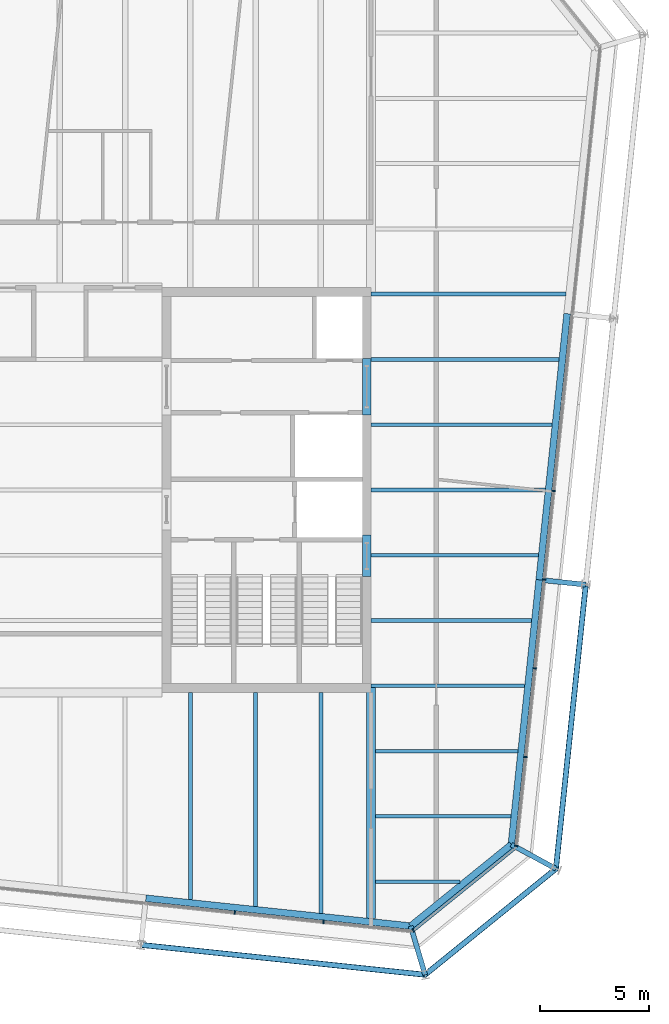
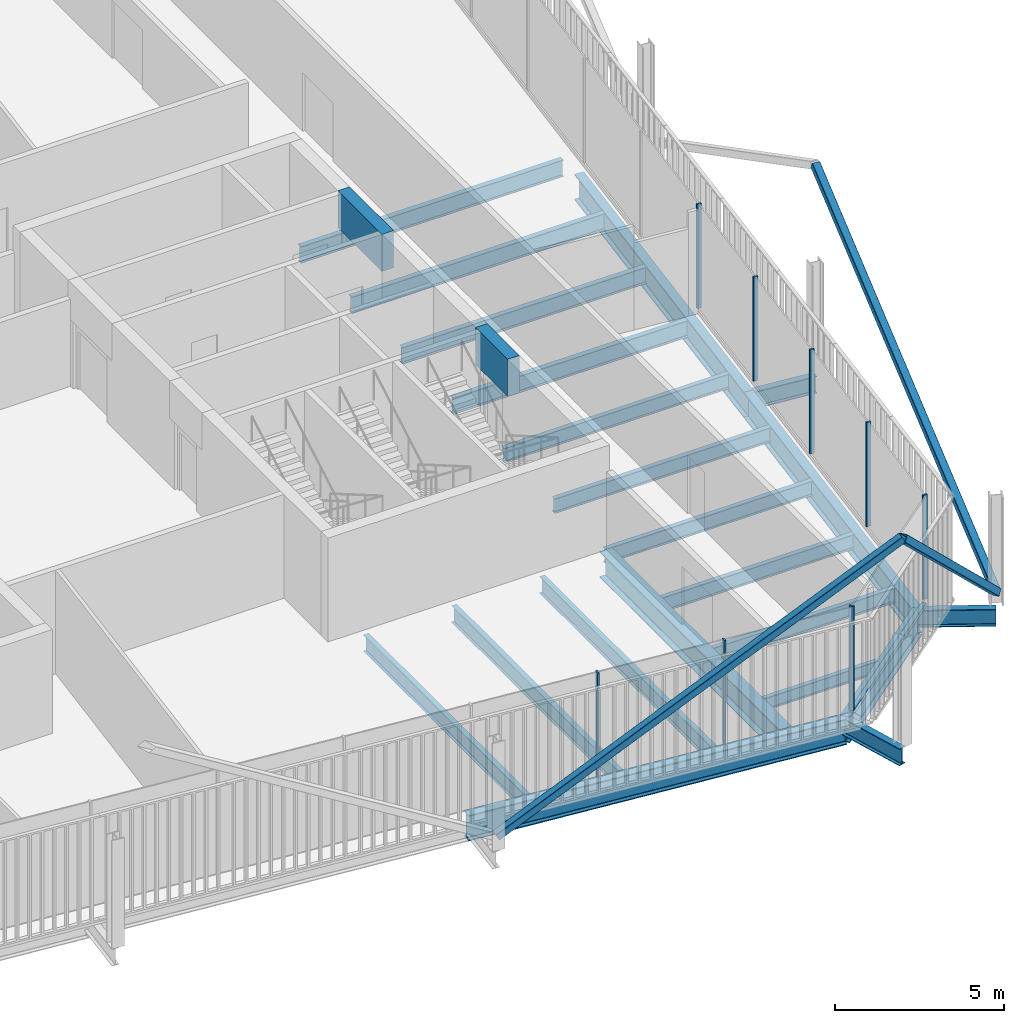
# One storey, part 9 of 21: 23 beams, 12 members, 3 elements without a shape of their own.
"""IFC4 building model written with IfcOpenShell, lengths in metres."""

import ifcopenshell
import ifcopenshell.guid

model = None  # the IFC model being written
_history = None  # IfcOwnerHistory: only IFC2X3 demands one
_inside = {}  # id of a spatial element -> (the spatial element, [elements in it])
_under = {}  # id of a project, library or spatial element -> (it, [spatial elements below it])
_declared = {}  # id of a project -> (the project, [libraries it declares])
_typed = {}  # id of a type object -> (the type object, [elements of that type])
_made_of = {}  # id of a material, layer set ... -> (it, [elements and type objects made of it])


def new_model(schema):
    """Start an empty IFC model of exactly this schema.

    Asked for "IFC4X3", IfcOpenShell would pick the latest addendum, in which some entities
    have other attributes; the version numbers below select the first issue.
    IFC2X3 requires an IfcOwnerHistory on every rooted entity: one is made here for all.
    """
    global model, _history
    if schema == "IFC4X3":
        model = ifcopenshell.file(schema_version=(4, 3, 0, 0))
    else:
        model = ifcopenshell.file(schema=schema)
    _inside.clear()
    _under.clear()
    _declared.clear()
    _typed.clear()
    _made_of.clear()
    _history = None
    if model.schema == "IFC2X3":
        org = make("IfcOrganization", Name="unknown")
        user = make(
            "IfcPersonAndOrganization",
            ThePerson=make("IfcPerson", FamilyName="unknown"),
            TheOrganization=org,
        )
        app = make(
            "IfcApplication",
            ApplicationDeveloper=org,
            Version="unknown",
            ApplicationFullName="unknown",
            ApplicationIdentifier="unknown",
        )
        _history = make(
            "IfcOwnerHistory",
            OwningUser=user,
            OwningApplication=app,
            ChangeAction="ADDED",
            CreationDate=0,
        )
    return model


def make(cls, **values):
    """One entity of the class cls with the attributes given. An attribute that is None is left unset."""
    return model.create_entity(
        cls, **{name: value for name, value in values.items() if value is not None}
    )


def rooted(cls, **values):
    """An entity with a GlobalId (a new one), such as an element, a storey or a relation."""
    return make(cls, GlobalId=ifcopenshell.guid.new(), OwnerHistory=_history, **values)


def si_unit(unit_type, name, prefix=None):
    """IfcSIUnit, for example si_unit("LENGTHUNIT", "METRE", prefix="MILLI")."""
    return make("IfcSIUnit", UnitType=unit_type, Prefix=prefix, Name=name)


def assignment(units):
    """IfcUnitAssignment: the units of a project."""
    return None if units is None else make("IfcUnitAssignment", Units=units)


def point(xyz):
    """IfcCartesianPoint."""
    return None if xyz is None else make("IfcCartesianPoint", Coordinates=xyz)


def direction(xyz):
    """IfcDirection."""
    return None if xyz is None else make("IfcDirection", DirectionRatios=xyz)


def frame(location, z_axis=None, x_axis=None):
    """IfcAxis2Placement3D, a coordinate frame: its origin and axes. An axis left out is left unset."""
    return make(
        "IfcAxis2Placement3D",
        Location=point(location),
        Axis=direction(z_axis),
        RefDirection=direction(x_axis),
    )


def frame_2d(location, x_axis=None):
    """IfcAxis2Placement2D, a coordinate frame in the plane: its origin and x axis."""
    return make(
        "IfcAxis2Placement2D", Location=point(location), RefDirection=direction(x_axis)
    )


def origin():
    """The frame at (0, 0, 0) with its axes left unset."""
    return frame((0.0, 0.0, 0.0))


def origin_2d():
    """The frame at (0, 0) in the plane with its x axis left unset."""
    return frame_2d((0.0, 0.0))


def place(relative_to, where):
    """IfcLocalPlacement: puts the frame where relative to a parent placement (None: the world)."""
    return make(
        "IfcLocalPlacement", PlacementRelTo=relative_to, RelativePlacement=where
    )


def context(
    kind, dimensions, precision=None, world=None, true_north=None, identifier=None
):
    """IfcGeometricRepresentationContext, for example the 3D "Model" context."""
    return make(
        "IfcGeometricRepresentationContext",
        ContextIdentifier=identifier,
        ContextType=kind,
        CoordinateSpaceDimension=dimensions,
        Precision=precision,
        WorldCoordinateSystem=world,
        TrueNorth=true_north,
    )


def subcontext(parent, identifier, kind, view, scale=None):
    """IfcGeometricRepresentationSubContext, for example "Body" below "Model"."""
    return make(
        "IfcGeometricRepresentationSubContext",
        ContextIdentifier=identifier,
        ContextType=kind,
        ParentContext=parent,
        TargetScale=scale,
        TargetView=view,
    )


def project(units=None, contexts=None):
    """IfcProject with its units and contexts."""
    return rooted(
        "IfcProject",
        Name="project",
        RepresentationContexts=contexts,
        UnitsInContext=assignment(units),
    )


def spatial(cls, under=None, at=None, **own):
    """A site, building, storey or space (cls), placed at a placement, below another one or the project."""
    s = rooted(cls, ObjectPlacement=at, **own)
    if under is not None:
        _under.setdefault(under.id(), (under, []))[1].append(s)
    return s


def profile(cls, at=None, kind="AREA", **sizes):
    """A parametric profile (cls). Its sizes go by their IFC names, for example OverallWidth=200.0."""
    return make(cls, ProfileType=kind, Position=at, **sizes)


def rectangle(**sizes):
    """IfcRectangleProfileDef."""
    return profile("IfcRectangleProfileDef", **sizes)


def hollow_rectangle(**sizes):
    """IfcRectangleHollowProfileDef."""
    return profile("IfcRectangleHollowProfileDef", **sizes)


def i_section(**sizes):
    """IfcIShapeProfileDef."""
    return profile("IfcIShapeProfileDef", **sizes)


def extrude(swept, where, along, depth):
    """IfcExtrudedAreaSolid: the profile swept, set in the frame where, extruded along a direction by depth."""
    return make(
        "IfcExtrudedAreaSolid",
        SweptArea=swept,
        Position=where,
        ExtrudedDirection=direction(along),
        Depth=depth,
    )


def shape(context_of_items, identifier, shape_type, items):
    """IfcShapeRepresentation: the items that make up one representation, for example the "Body"."""
    return make(
        "IfcShapeRepresentation",
        ContextOfItems=context_of_items,
        RepresentationIdentifier=identifier,
        RepresentationType=shape_type,
        Items=items,
    )


def material(Name=None, Category=None):
    """IfcMaterial."""
    return make("IfcMaterial", Name=Name, Category=Category)


def layer(
    of_material, thickness, ventilated=None, Name=None, Category=None, Priority=None
):
    """IfcMaterialLayer: one layer of a wall or slab, of a material (None: an air gap)."""
    return make(
        "IfcMaterialLayer",
        Material=of_material,
        LayerThickness=thickness,
        IsVentilated=ventilated,
        Name=Name,
        Category=Category,
        Priority=Priority,
    )


def layer_set(layers, Name=None):
    """IfcMaterialLayerSet."""
    return make("IfcMaterialLayerSet", MaterialLayers=layers, LayerSetName=Name)


def material_profile(
    of_material, cross_section, Name=None, Category=None, Priority=None
):
    """IfcMaterialProfile: a cross section and its material."""
    return make(
        "IfcMaterialProfile",
        Name=Name,
        Material=of_material,
        Profile=cross_section,
        Priority=Priority,
        Category=Category,
    )


def profile_set(profiles, Name=None, composite=None):
    """IfcMaterialProfileSet."""
    return make(
        "IfcMaterialProfileSet",
        Name=Name,
        MaterialProfiles=profiles,
        CompositeProfile=composite,
    )


def made_of(thing, what):
    """Note that an element or type object is made of a material, layer set ...; save() writes the relation."""
    if what is not None:
        _made_of.setdefault(what.id(), (what, []))[1].append(thing)
    return thing


def type_object(cls, material=None, **own):
    """A type object (cls), such as IfcWallType, which elements share."""
    return made_of(rooted(cls, **own), material)


def element(
    cls,
    number,
    at=None,
    inside=None,
    cuts=None,
    type_object=None,
    material=None,
    context=None,
    identifier="Body",
    shape_type=None,
    held_by="IfcProductDefinitionShape",
    body=None,
    shapes=None,
    **own,
):
    """One element of the class cls, such as IfcWall. Its Tag is "e" and its number.

    at: its placement. inside: the storey or other place that contains it. cuts: it is an
    opening in that element (IfcRelVoidsElement). A single representation is given by context,
    identifier, shape_type and body (its items); several are given by shapes. held_by: the class
    of the entity that holds the representations. save() writes the other relations.
    """
    e = rooted(cls, Tag="e%d" % number, ObjectPlacement=at, **own)
    if body is not None:
        shapes = [shape(context, identifier, shape_type, body)]
    if shapes is not None:
        e.Representation = make(held_by, Representations=shapes)
    if inside is not None:
        _inside.setdefault(inside.id(), (inside, []))[1].append(e)
    if cuts is not None:
        rooted(
            "IfcRelVoidsElement", RelatingBuildingElement=cuts, RelatedOpeningElement=e
        )
    if type_object is not None:
        _typed.setdefault(type_object.id(), (type_object, []))[1].append(e)
    return made_of(e, material)


def aggregate(whole, parts):
    """IfcRelAggregates: a whole, such as a stair, and the parts it consists of."""
    return rooted("IfcRelAggregates", RelatingObject=whole, RelatedObjects=parts)


def save(model, path):
    """Write the relations noted so far, then the file.

    IfcRelAggregates (storeys below a building ...), IfcRelContainedInSpatialStructure (elements
    in a storey), IfcRelDefinesByType, IfcRelAssociatesMaterial and IfcRelDeclares: one each for
    every whole, place, type object, material and project.
    """
    for whole, parts in _under.values():
        aggregate(whole, parts)
    for where, things in _inside.values():
        rooted(
            "IfcRelContainedInSpatialStructure",
            RelatedElements=things,
            RelatingStructure=where,
        )
    for kind, things in _typed.values():
        rooted("IfcRelDefinesByType", RelatedObjects=things, RelatingType=kind)
    for what, things in _made_of.values():
        rooted("IfcRelAssociatesMaterial", RelatedObjects=things, RelatingMaterial=what)
    for by, libraries in _declared.values():
        rooted("IfcRelDeclares", RelatingContext=by, RelatedDefinitions=libraries)
    model.write(path)


model = new_model("IFC4")

# Units and contexts
model_context = context("Model", 3, precision=1e-05, world=origin(), true_north=direction((0.0, 1.0)))
body_context = subcontext(model_context, "Body", "Model", "MODEL_VIEW")
ifc_project = project(units=[si_unit("LENGTHUNIT", "METRE"), si_unit("AREAUNIT", "SQUARE_METRE"), si_unit("VOLUMEUNIT", "CUBIC_METRE"), si_unit("PLANEANGLEUNIT", "RADIAN"), si_unit("MASSUNIT", "GRAM", prefix="KILO")], contexts=[model_context])

# Site, building, storey
site_placement = place(None, origin())
site = spatial("IfcSite", under=ifc_project, at=site_placement, CompositionType="ELEMENT")
building_placement = place(site_placement, origin())
building = spatial("IfcBuilding", under=site, at=building_placement, Name="Millrace Tower", CompositionType="ELEMENT")
storey_placement = place(building_placement, frame((0.0, 0.0, 283.800048828125)))
storey = spatial("IfcBuildingStorey", under=building, at=storey_placement, Name="L65", CompositionType="ELEMENT", Elevation=283.800048828125)

# Curtain wall, members
ifc_material_1 = material(Name="Aluminium and glass", Category="aluminium")
ifc_layer = layer(ifc_material_1, 0.14990234375)
ifc_layer_set = layer_set([ifc_layer], Name="Aluminium and glass")
curtain_wall_type = type_object("IfcCurtainWallType", Name="CW-1 office vision curtain wall", PredefinedType="NOTDEFINED", material=ifc_layer_set)
placement = place(storey_placement, origin())
curtain_wall_1 = element("IfcCurtainWall", 1, at=placement, inside=storey, type_object=curtain_wall_type, Name="Curtain wall E-F02 L65", PredefinedType="NOTDEFINED")
ifc_material_2 = material(Name="Aluminium", Category="aluminium")
ifc_material_profile_1 = material_profile(ifc_material_2, rectangle(XDim=0.06494140625, YDim=0.14990234375, at=origin_2d()))
ifc_profile_set_1 = profile_set([ifc_material_profile_1], Name="Aluminium")
member_type_1 = type_object("IfcMemberType", Name="CW-1 office vision curtain wall mullion", PredefinedType="MULLION", material=ifc_profile_set_1)
member_1_placement = place(storey_placement, frame((8.040283203125, -19.4248046875, 0.139892578125), z_axis=(0.0, 0.0, 1.0), x_axis=(0.994521896217, -0.104528455196, 0.0)))
member_1 = element("IfcMember", 2, at=member_1_placement, type_object=member_type_1, Name="CW1 mullion E-F02.8", PredefinedType="MULLION", context=body_context, shape_type="SweptSolid", body=[
    extrude(rectangle(XDim=0.06494140625, YDim=0.14990234375, at=origin_2d()), origin(), (0.0, 0.0, 1.0), 3.760009765625),
])
member_2_placement = place(storey_placement, frame((12.117919921875, -19.853271484375, 0.139892578125), z_axis=(0.0, 0.0, 1.0), x_axis=(0.994521896217, -0.104528455196, 0.0)))
member_2 = element("IfcMember", 3, at=member_2_placement, type_object=member_type_1, Name="CW1 mullion E-F02.9", PredefinedType="MULLION", context=body_context, shape_type="SweptSolid", body=[
    extrude(rectangle(XDim=0.06494140625, YDim=0.14990234375, at=origin_2d()), origin(), (0.0, 0.0, 1.0), 3.760009765625),
])
aggregate(curtain_wall_1, [member_1, member_2])

# Curtain wall, member
curtain_wall_2 = element("IfcCurtainWall", 4, at=placement, inside=storey, type_object=curtain_wall_type, Name="Curtain wall E-F03 L65", PredefinedType="NOTDEFINED")
member_3_placement = place(storey_placement, frame((16.243408203125, -20.24169921875, 0.139892578125), z_axis=(0.0, 0.0, 1.0), x_axis=(0.777146052237, 0.629320278945, 0.0)))
member_3 = element("IfcMember", 5, at=member_3_placement, type_object=member_type_1, Name="CW1 mullion E-F03.1", PredefinedType="MULLION", context=body_context, shape_type="SweptSolid", body=[
    extrude(rectangle(XDim=0.06494140625, YDim=0.14990234375, at=origin_2d()), origin(), (0.0, 0.0, 1.0), 3.760009765625),
])

# Curtain wall, members
curtain_wall_3 = element("IfcCurtainWall", 6, at=placement, inside=storey, type_object=curtain_wall_type, Name="Curtain wall E-F04 L65", PredefinedType="NOTDEFINED")
member_4_placement = place(storey_placement, frame((20.974853515625, -16.3525390625, 0.139892578125), z_axis=(0.0, 0.0, 1.0), x_axis=(0.104528455196, 0.994521896217, 0.0)))
member_4 = element("IfcMember", 7, at=member_4_placement, type_object=member_type_1, Name="CW1 mullion E-F04.1", PredefinedType="MULLION", context=body_context, shape_type="SweptSolid", body=[
    extrude(rectangle(XDim=0.06494140625, YDim=0.14990234375, at=origin_2d()), origin(), (0.0, 0.0, 1.0), 3.760009765625),
])
member_5_placement = place(storey_placement, frame((21.4033203125, -12.27490234375, 0.139892578125), z_axis=(0.0, 0.0, 1.0), x_axis=(0.104528455196, 0.994521896217, 0.0)))
member_5 = element("IfcMember", 8, at=member_5_placement, type_object=member_type_1, Name="CW1 mullion E-F04.2", PredefinedType="MULLION", context=body_context, shape_type="SweptSolid", body=[
    extrude(rectangle(XDim=0.06494140625, YDim=0.14990234375, at=origin_2d()), origin(), (0.0, 0.0, 1.0), 3.760009765625),
])
member_6_placement = place(storey_placement, frame((21.83203125, -8.197509765625, 0.139892578125), z_axis=(0.0, 0.0, 1.0), x_axis=(0.104528455196, 0.994521896217, 0.0)))
member_6 = element("IfcMember", 9, at=member_6_placement, type_object=member_type_1, Name="CW1 mullion E-F04.3", PredefinedType="MULLION", context=body_context, shape_type="SweptSolid", body=[
    extrude(rectangle(XDim=0.06494140625, YDim=0.14990234375, at=origin_2d()), origin(), (0.0, 0.0, 1.0), 3.760009765625),
])
member_7_placement = place(storey_placement, frame((22.260498046875, -4.119873046875, 0.139892578125), z_axis=(0.0, 0.0, 1.0), x_axis=(0.104528455196, 0.994521896217, 0.0)))
member_7 = element("IfcMember", 10, at=member_7_placement, type_object=member_type_1, Name="CW1 mullion E-F04.4", PredefinedType="MULLION", context=body_context, shape_type="SweptSolid", body=[
    extrude(rectangle(XDim=0.06494140625, YDim=0.14990234375, at=origin_2d()), origin(), (0.0, 0.0, 1.0), 3.760009765625),
])
member_8_placement = place(storey_placement, frame((22.68896484375, -0.042236328125, 0.139892578125), z_axis=(0.0, 0.0, 1.0), x_axis=(0.104528455196, 0.994521896217, 0.0)))
member_8 = element("IfcMember", 11, at=member_8_placement, type_object=member_type_1, Name="CW1 mullion E-F04.5", PredefinedType="MULLION", context=body_context, shape_type="SweptSolid", body=[
    extrude(rectangle(XDim=0.06494140625, YDim=0.14990234375, at=origin_2d()), origin(), (0.0, 0.0, 1.0), 3.760009765625),
])
aggregate(curtain_wall_3, [member_4, member_5, member_6, member_7, member_8])

# Member
ifc_material_3 = material(Name="Aluminium", Category="aluminium")
ifc_material_profile_2 = material_profile(ifc_material_3, rectangle(XDim=0.14990234375, YDim=0.139892578125, at=origin_2d()))
ifc_profile_set_2 = profile_set([ifc_material_profile_2], Name="Aluminium")
member_type_2 = type_object("IfcMemberType", Name="CW-1 office vision curtain wall transom", PredefinedType="USERDEFINED", material=ifc_profile_set_2)
member_9_placement = place(storey_placement, frame((16.2958984375, -20.19921875, 0.070068359375), z_axis=(0.77714915117, 0.629316452061, 0.0), x_axis=(-0.629316452061, 0.77714915117, 0.0)))
member_9 = element("IfcMember", 12, at=member_9_placement, type_object=member_type_2, Name="CW1 transom E-F03.1", ObjectType="TRANSOM", PredefinedType="USERDEFINED", context=body_context, shape_type="SweptSolid", body=[
    extrude(rectangle(XDim=0.14990234375, YDim=0.139892578125, at=origin_2d()), origin(), (0.0, 0.0, 1.0), 5.880859375),
])

aggregate(curtain_wall_2, [member_3, member_9])

# Beams
ifc_material_4 = material(Name="Concrete C60", Category="concrete")
ifc_material_profile_3 = material_profile(ifc_material_4, rectangle(XDim=0.39990234375, YDim=1.340087890625, at=origin_2d()))
ifc_profile_set_3 = profile_set([ifc_material_profile_3], Name="Concrete C60")
beam_type_1 = type_object("IfcBeamType", Name="Coupling beam 400 x 1340 Concrete C60, 1300 opening", PredefinedType="BEAM", material=ifc_profile_set_3)
beam_1_placement = place(storey_placement, frame((14.10009765625, -2.080078125, 3.070068359375), z_axis=(0.0, -1.0, 0.0), x_axis=(1.0, 0.0, 0.0)))
element("IfcBeam", 13, at=beam_1_placement, inside=storey, type_object=beam_type_1, Name="Coupling beam E L65", PredefinedType="BEAM", context=body_context, shape_type="SweptSolid", body=[
    extrude(rectangle(XDim=0.39990234375, YDim=1.340087890625, at=origin_2d()), origin(), (0.0, 0.0, 1.0), 1.89990234375),
])
ifc_material_5 = material(Name="Concrete C60", Category="concrete")
ifc_material_profile_4 = material_profile(ifc_material_5, rectangle(XDim=0.39990234375, YDim=1.340087890625, at=origin_2d()))
ifc_profile_set_4 = profile_set([ifc_material_profile_4], Name="Concrete C60")
beam_type_2 = type_object("IfcBeamType", Name="Coupling beam 400 x 1340 Concrete C60, 2000 opening", PredefinedType="BEAM", material=ifc_profile_set_4)
beam_2_placement = place(storey_placement, frame((14.10009765625, 6.050048828125, 3.070068359375), z_axis=(0.0, -1.0, 0.0), x_axis=(1.0, 0.0, 0.0)))
element("IfcBeam", 14, at=beam_2_placement, inside=storey, type_object=beam_type_2, Name="Coupling beam E L65", PredefinedType="BEAM", context=body_context, shape_type="SweptSolid", body=[
    extrude(rectangle(XDim=0.39990234375, YDim=1.340087890625, at=origin_2d()), origin(), (0.0, 0.0, 1.0), 2.60009765625),
])

# Members
ifc_material_6 = material(Name="Steel ASTM A500 Grade C", Category="steel")
ifc_material_profile_5 = material_profile(ifc_material_6, hollow_rectangle(XDim=0.25390625, YDim=0.25390625, WallThickness=0.0126953125, InnerFilletRadius=0.00634765625, OuterFilletRadius=0.01904296875, at=origin_2d()))
ifc_profile_set_5 = profile_set([ifc_material_profile_5], Name="Steel ASTM A500 Grade C")
member_type_3 = type_object("IfcMemberType", Name="Exoskeleton brace HSS10x10x1/2", PredefinedType="BRACE", material=ifc_profile_set_5)
member_10_placement = place(storey_placement, frame((3.729248046875, -20.9072265625, 0.39990234375), z_axis=(0.877568210125, -0.092238278747, 0.470495628578), x_axis=(0.104530865473, 0.994521642883, 0.0)))
element("IfcMember", 15, at=member_10_placement, inside=storey, type_object=member_type_3, Name="BRC-E-L65-04", PredefinedType="BRACE", context=body_context, shape_type="SweptSolid", body=[
    extrude(hollow_rectangle(XDim=0.25390625, YDim=0.25390625, WallThickness=0.0126953125, InnerFilletRadius=0.00634765625, OuterFilletRadius=0.01904296875, at=origin_2d()), origin(), (0.0, 0.0, 1.0), 14.8779296875),
])
member_11_placement = place(storey_placement, frame((22.79931640625, -17.409912109375, 0.39990234375), z_axis=(-0.576329152125, -0.466688099557, 0.670855369021), x_axis=(0.629308952043, -0.777155224442, 0.0)))
element("IfcMember", 16, at=member_11_placement, inside=storey, type_object=member_type_3, Name="BRC-E-L65-05", PredefinedType="BRACE", context=body_context, shape_type="SweptSolid", body=[
    extrude(hollow_rectangle(XDim=0.25390625, YDim=0.25390625, WallThickness=0.0126953125, InnerFilletRadius=0.00634765625, OuterFilletRadius=0.01904296875, at=origin_2d()), origin(), (0.0, 0.0, 1.0), 10.434326171875),
])
member_12_placement = place(storey_placement, frame((22.79931640625, -17.409912109375, 0.39990234375), z_axis=(0.092236950483, 0.877571982182, 0.470488853274), x_axis=(-0.994521846076, 0.104528932251, 0.0)))
element("IfcMember", 17, at=member_12_placement, inside=storey, type_object=member_type_3, Name="BRC-E-L65-06", PredefinedType="BRACE", context=body_context, shape_type="SweptSolid", body=[
    extrude(hollow_rectangle(XDim=0.25390625, YDim=0.25390625, WallThickness=0.0126953125, InnerFilletRadius=0.00634765625, OuterFilletRadius=0.01904296875, at=origin_2d()), origin(), (0.0, 0.0, 1.0), 14.878173828125),
])

# Beams
ifc_material_7 = material(Name="Steel ASTM A992 Grade 50", Category="steel")
ifc_material_profile_6 = material_profile(ifc_material_7, i_section(OverallWidth=0.15234375, OverallDepth=0.449462890625, WebThickness=0.007568359375, FlangeThickness=0.0107421875, FilletRadius=0.01025390625, at=origin_2d()))
ifc_profile_set_6 = profile_set([ifc_material_profile_6], Name="Steel ASTM A992 Grade 50")
beam_type_3 = type_object("IfcBeamType", Name="Floor beam W18x35", PredefinedType="JOIST", material=ifc_profile_set_6)
beam_3_placement = place(storey_placement, frame((14.509521484375, -18.0, -0.384765625), z_axis=(1.0, 0.0, 0.0), x_axis=(0.0, 1.0, 0.0)))
element("IfcBeam", 18, at=beam_3_placement, inside=storey, type_object=beam_type_3, Name="BM-E-L65-S1-S001", PredefinedType="JOIST", context=body_context, shape_type="SweptSolid", body=[
    extrude(i_section(OverallWidth=0.15234375, OverallDepth=0.449462890625, WebThickness=0.007568359375, FlangeThickness=0.0107421875, FilletRadius=0.01025390625, at=origin_2d()), origin(), (0.0, 0.0, 1.0), 3.87060546875),
])
ifc_material_8 = material(Name="Steel ASTM A992 Grade 50", Category="steel")
ifc_material_profile_7 = material_profile(ifc_material_8, i_section(OverallWidth=0.1650390625, OverallDepth=0.52587890625, WebThickness=0.0087890625, FlangeThickness=0.011474609375, FilletRadius=0.0126953125, at=origin_2d()))
ifc_profile_set_7 = profile_set([ifc_material_profile_7], Name="Steel ASTM A992 Grade 50")
beam_type_4 = type_object("IfcBeamType", Name="Floor beam W21x44", PredefinedType="JOIST", material=ifc_profile_set_7)
beam_4_placement = place(storey_placement, frame((14.509521484375, -15.0, -0.4228515625), z_axis=(1.0, 0.0, 0.0), x_axis=(0.0, 1.0, 0.0)))
element("IfcBeam", 19, at=beam_4_placement, inside=storey, type_object=beam_type_4, Name="BM-E-L65-S1-S003", PredefinedType="JOIST", context=body_context, shape_type="SweptSolid", body=[
    extrude(i_section(OverallWidth=0.1650390625, OverallDepth=0.52587890625, WebThickness=0.0087890625, FlangeThickness=0.011474609375, FilletRadius=0.0126953125, at=origin_2d()), origin(), (0.0, 0.0, 1.0), 6.222900390625),
])
beam_5_placement = place(storey_placement, frame((14.509521484375, -12.0, -0.4228515625), z_axis=(1.0, 0.0, 0.0), x_axis=(0.0, 1.0, 0.0)))
element("IfcBeam", 20, at=beam_5_placement, inside=storey, type_object=beam_type_4, Name="BM-E-L65-S1-S005", PredefinedType="JOIST", context=body_context, shape_type="SweptSolid", body=[
    extrude(i_section(OverallWidth=0.1650390625, OverallDepth=0.52587890625, WebThickness=0.0087890625, FlangeThickness=0.011474609375, FilletRadius=0.0126953125, at=origin_2d()), origin(), (0.0, 0.0, 1.0), 6.538330078125),
])
beam_6_placement = place(storey_placement, frame((14.300048828125, -9.0, -0.4228515625), z_axis=(1.0, 0.0, 0.0), x_axis=(0.0, 1.0, 0.0)))
element("IfcBeam", 21, at=beam_6_placement, inside=storey, type_object=beam_type_4, Name="BM-E-L65-S1-S007", PredefinedType="JOIST", context=body_context, shape_type="SweptSolid", body=[
    extrude(i_section(OverallWidth=0.1650390625, OverallDepth=0.52587890625, WebThickness=0.0087890625, FlangeThickness=0.011474609375, FilletRadius=0.0126953125, at=origin_2d()), origin(), (0.0, 0.0, 1.0), 7.06298828125),
])
beam_7_placement = place(storey_placement, frame((14.300048828125, -6.0, -0.4228515625), z_axis=(1.0, 0.0, 0.0), x_axis=(0.0, 1.0, 0.0)))
element("IfcBeam", 22, at=beam_7_placement, inside=storey, type_object=beam_type_4, Name="BM-E-L65-S1-S010", PredefinedType="JOIST", context=body_context, shape_type="SweptSolid", body=[
    extrude(i_section(OverallWidth=0.1650390625, OverallDepth=0.52587890625, WebThickness=0.0087890625, FlangeThickness=0.011474609375, FilletRadius=0.0126953125, at=origin_2d()), origin(), (0.0, 0.0, 1.0), 7.37841796875),
])
beam_8_placement = place(storey_placement, frame((14.300048828125, -3.0, -0.4228515625), z_axis=(1.0, 0.0, 0.0), x_axis=(0.0, 1.0, 0.0)))
element("IfcBeam", 23, at=beam_8_placement, inside=storey, type_object=beam_type_4, Name="BM-E-L65-S1-S013", PredefinedType="JOIST", context=body_context, shape_type="SweptSolid", body=[
    extrude(i_section(OverallWidth=0.1650390625, OverallDepth=0.52587890625, WebThickness=0.0087890625, FlangeThickness=0.011474609375, FilletRadius=0.0126953125, at=origin_2d()), origin(), (0.0, 0.0, 1.0), 7.693603515625),
])
ifc_material_9 = material(Name="Steel ASTM A992 Grade 50", Category="steel")
ifc_material_profile_8 = material_profile(ifc_material_9, i_section(OverallWidth=0.177978515625, OverallDepth=0.599365234375, WebThickness=0.010009765625, FlangeThickness=0.012939453125, FilletRadius=0.012939453125, at=origin_2d()))
ifc_profile_set_8 = profile_set([ifc_material_profile_8], Name="Steel ASTM A992 Grade 50")
beam_type_5 = type_object("IfcBeamType", Name="Floor beam W24x55", PredefinedType="JOIST", material=ifc_profile_set_8)
beam_9_placement = place(storey_placement, frame((14.300048828125, 0.0, -0.459716796875), z_axis=(1.0, 0.0, 0.0), x_axis=(0.0, 1.0, 0.0)))
element("IfcBeam", 24, at=beam_9_placement, inside=storey, type_object=beam_type_5, Name="BM-E-L65-S1-S016", PredefinedType="JOIST", context=body_context, shape_type="SweptSolid", body=[
    extrude(i_section(OverallWidth=0.177978515625, OverallDepth=0.599365234375, WebThickness=0.010009765625, FlangeThickness=0.012939453125, FilletRadius=0.012939453125, at=origin_2d()), origin(), (0.0, 0.0, 1.0), 8.009033203125),
])
beam_10_placement = place(storey_placement, frame((14.300048828125, 3.0, -0.459716796875), z_axis=(1.0, 0.0, 0.0), x_axis=(0.0, 1.0, 0.0)))
element("IfcBeam", 25, at=beam_10_placement, inside=storey, type_object=beam_type_5, Name="BM-E-L65-S1-S019", PredefinedType="JOIST", context=body_context, shape_type="SweptSolid", body=[
    extrude(i_section(OverallWidth=0.177978515625, OverallDepth=0.599365234375, WebThickness=0.010009765625, FlangeThickness=0.012939453125, FilletRadius=0.012939453125, at=origin_2d()), origin(), (0.0, 0.0, 1.0), 8.324462890625),
])
beam_11_placement = place(storey_placement, frame((14.300048828125, 6.0, -0.459716796875), z_axis=(1.0, 0.0, 0.0), x_axis=(0.0, 1.0, 0.0)))
element("IfcBeam", 26, at=beam_11_placement, inside=storey, type_object=beam_type_5, Name="BM-E-L65-S1-S022", PredefinedType="JOIST", context=body_context, shape_type="SweptSolid", body=[
    extrude(i_section(OverallWidth=0.177978515625, OverallDepth=0.599365234375, WebThickness=0.010009765625, FlangeThickness=0.012939453125, FilletRadius=0.012939453125, at=origin_2d()), origin(), (0.0, 0.0, 1.0), 8.6396484375),
])
beam_12_placement = place(storey_placement, frame((14.300048828125, 9.0, -0.459716796875), z_axis=(1.0, 0.0, 0.0), x_axis=(0.0, 1.0, 0.0)))
element("IfcBeam", 27, at=beam_12_placement, inside=storey, type_object=beam_type_5, Name="BM-E-L65-S1-S024", PredefinedType="JOIST", context=body_context, shape_type="SweptSolid", body=[
    extrude(i_section(OverallWidth=0.177978515625, OverallDepth=0.599365234375, WebThickness=0.010009765625, FlangeThickness=0.012939453125, FilletRadius=0.012939453125, at=origin_2d()), origin(), (0.0, 0.0, 1.0), 8.955078125),
])
beam_13_placement = place(storey_placement, frame((6.0, -18.825927734375, -0.459716796875), z_axis=(0.0, 1.0, 0.0), x_axis=(-1.0, 0.0, 0.0)))
element("IfcBeam", 28, at=beam_13_placement, inside=storey, type_object=beam_type_5, Name="BM-E-L65-S1-S049", PredefinedType="JOIST", context=body_context, shape_type="SweptSolid", body=[
    extrude(i_section(OverallWidth=0.177978515625, OverallDepth=0.599365234375, WebThickness=0.010009765625, FlangeThickness=0.012939453125, FilletRadius=0.012939453125, at=origin_2d()), origin(), (0.0, 0.0, 1.0), 9.52587890625),
])
beam_14_placement = place(storey_placement, frame((9.0, -19.14111328125, -0.459716796875), z_axis=(0.0, 1.0, 0.0), x_axis=(-1.0, 0.0, 0.0)))
element("IfcBeam", 29, at=beam_14_placement, inside=storey, type_object=beam_type_5, Name="BM-E-L65-S1-S051", PredefinedType="JOIST", context=body_context, shape_type="SweptSolid", body=[
    extrude(i_section(OverallWidth=0.177978515625, OverallDepth=0.599365234375, WebThickness=0.010009765625, FlangeThickness=0.012939453125, FilletRadius=0.012939453125, at=origin_2d()), origin(), (0.0, 0.0, 1.0), 9.841064453125),
])
ifc_material_10 = material(Name="Steel ASTM A992 Grade 50", Category="steel")
ifc_material_profile_9 = material_profile(ifc_material_10, i_section(OverallWidth=0.1787109375, OverallDepth=0.60205078125, WebThickness=0.010986328125, FlangeThickness=0.014892578125, FilletRadius=0.0126953125, at=origin_2d()))
ifc_profile_set_9 = profile_set([ifc_material_profile_9], Name="Steel ASTM A992 Grade 50")
beam_type_6 = type_object("IfcBeamType", Name="Floor beam W24x62", PredefinedType="JOIST", material=ifc_profile_set_9)
beam_15_placement = place(storey_placement, frame((12.0, -19.45654296875, -0.4609375), z_axis=(0.0, 1.0, 0.0), x_axis=(-1.0, 0.0, 0.0)))
element("IfcBeam", 30, at=beam_15_placement, inside=storey, type_object=beam_type_6, Name="BM-E-L65-S1-S053", PredefinedType="JOIST", context=body_context, shape_type="SweptSolid", body=[
    extrude(i_section(OverallWidth=0.1787109375, OverallDepth=0.60205078125, WebThickness=0.010986328125, FlangeThickness=0.014892578125, FilletRadius=0.0126953125, at=origin_2d()), origin(), (0.0, 0.0, 1.0), 10.156494140625),
])
ifc_material_11 = material(Name="Steel ASTM A992 Grade 50", Category="steel")
ifc_material_profile_10 = material_profile(ifc_material_11, i_section(OverallWidth=0.419189453125, OverallDepth=0.927001953125, WebThickness=0.019287109375, FlangeThickness=0.031982421875, FilletRadius=0.024169921875, at=origin_2d()))
ifc_profile_set_10 = profile_set([ifc_material_profile_10], Name="Steel ASTM A992 Grade 50")
beam_type_7 = type_object("IfcBeamType", Name="Girder short span W36x231", PredefinedType="BEAM", material=ifc_profile_set_10)
beam_16_placement = place(storey_placement, frame((14.300048828125, -19.6982421875, -0.62353515625), z_axis=(0.0, 1.0, 0.0), x_axis=(-1.0, 0.0, 0.0)))
element("IfcBeam", 31, at=beam_16_placement, inside=storey, type_object=beam_type_7, Name="BM-E-L65-S1-G057", PredefinedType="BEAM", context=body_context, shape_type="SweptSolid", body=[
    extrude(i_section(OverallWidth=0.419189453125, OverallDepth=0.927001953125, WebThickness=0.019287109375, FlangeThickness=0.031982421875, FilletRadius=0.024169921875, at=origin_2d()), origin(), (0.0, 0.0, 1.0), 10.6142578125),
])
ifc_material_12 = material(Name="Steel ASTM A992 Grade 50", Category="steel")
ifc_material_profile_11 = material_profile(ifc_material_12, i_section(OverallWidth=0.23046875, OverallDepth=0.6171875, WebThickness=0.01318359375, FlangeThickness=0.022216796875, FilletRadius=0.012939453125, at=origin_2d()))
ifc_profile_set_11 = profile_set([ifc_material_profile_11], Name="Steel ASTM A992 Grade 50")
beam_type_8 = type_object("IfcBeamType", Name="Link beam W24x94", PredefinedType="BEAM", material=ifc_profile_set_11)
beam_17_placement = place(storey_placement, frame((22.1826171875, -4.144287109375, -0.46875), z_axis=(0.99452550138, -0.104494148666, 0.0), x_axis=(0.104494148666, 0.99452550138, 0.0)))
element("IfcBeam", 32, at=beam_17_placement, inside=storey, type_object=beam_type_8, Name="LNK-E-L65-S1-11", PredefinedType="BEAM", context=body_context, shape_type="SweptSolid", body=[
    extrude(i_section(OverallWidth=0.23046875, OverallDepth=0.6171875, WebThickness=0.01318359375, FlangeThickness=0.022216796875, FilletRadius=0.012939453125, at=origin_2d()), origin(), (0.0, 0.0, 1.0), 2.0),
])
for number, where, z_axis, x_axis, name in (
    (33, (20.750732421875, -16.297607421875, -0.46875), (0.87881453358, -0.477163510307, 0.0), (0.477163510307, 0.87881453358, 0.0), "LNK-E-L65-S1-12"),
    (34, (16.123779296875, -20.04443359375, -0.46875), (0.283934988541, -0.958843533785, 0.0), (0.958843533785, 0.283934988541, 0.0), "LNK-E-L65-S1-13"),
):
    element("IfcBeam", number, at=place(storey_placement, frame(where, z_axis=z_axis, x_axis=x_axis)), inside=storey, type_object=beam_type_8, Name=name, PredefinedType="BEAM", context=body_context, shape_type="SweptSolid", body=[
        extrude(i_section(OverallWidth=0.23046875, OverallDepth=0.6171875, WebThickness=0.01318359375, FlangeThickness=0.022216796875, FilletRadius=0.012939453125, at=origin_2d()), origin(), (0.0, 0.0, 1.0), 2.3310546875),
    ])
ifc_material_13 = material(Name="Steel ASTM A992 Grade 50", Category="steel")
ifc_material_profile_12 = material_profile(ifc_material_13, i_section(OverallWidth=0.307373046875, OverallDepth=0.927001953125, WebThickness=0.01953125, FlangeThickness=0.031982421875, FilletRadius=0.01904296875, at=origin_2d()))
ifc_profile_set_12 = profile_set([ifc_material_profile_12], Name="Steel ASTM A992 Grade 50")
beam_type_9 = type_object("IfcBeamType", Name="Ring beam medium span W36x194", PredefinedType="SPANDREL", material=ifc_profile_set_12)
beam_18_placement = place(storey_placement, frame((23.3154296875, 8.104248046875, -0.62353515625), z_axis=(-0.10452566363, -0.994522189618, 0.0), x_axis=(0.994522189618, -0.10452566363, 0.0)))
element("IfcBeam", 35, at=beam_18_placement, inside=storey, type_object=beam_type_9, Name="RNG-E-L65-S1-10", PredefinedType="SPANDREL", context=body_context, shape_type="SweptSolid", body=[
    extrude(i_section(OverallWidth=0.307373046875, OverallDepth=0.927001953125, WebThickness=0.01953125, FlangeThickness=0.031982421875, FilletRadius=0.01904296875, at=origin_2d()), origin(), (0.0, 0.0, 1.0), 12.2998046875),
])
for number, where, z_axis, x_axis, name in (
    (36, (22.02978515625, -4.128173828125, -0.62353515625), (-0.104527955888, -0.994521948696, 0.0), (0.994521948696, -0.104527955888, 0.0), "RNG-E-L65-S1-11"),
    (37, (16.123779296875, -20.04443359375, -0.62353515625), (-0.994521948696, 0.104527955888, 0.0), (-0.104527955888, -0.994521948696, 0.0), "RNG-E-L65-S1-13"),
):
    element("IfcBeam", number, at=place(storey_placement, frame(where, z_axis=z_axis, x_axis=x_axis)), inside=storey, type_object=beam_type_9, Name=name, PredefinedType="SPANDREL", context=body_context, shape_type="SweptSolid", body=[
        extrude(i_section(OverallWidth=0.307373046875, OverallDepth=0.927001953125, WebThickness=0.01953125, FlangeThickness=0.031982421875, FilletRadius=0.01904296875, at=origin_2d()), origin(), (0.0, 0.0, 1.0), 12.236572265625),
    ])
ifc_material_14 = material(Name="Steel ASTM A992 Grade 50", Category="steel")
ifc_material_profile_13 = material_profile(ifc_material_14, i_section(OverallWidth=0.307373046875, OverallDepth=0.927001953125, WebThickness=0.01953125, FlangeThickness=0.031982421875, FilletRadius=0.01904296875, at=origin_2d()))
ifc_profile_set_13 = profile_set([ifc_material_profile_13], Name="Steel ASTM A992 Grade 50")
beam_type_10 = type_object("IfcBeamType", Name="Ring beam short span W36x194", PredefinedType="SPANDREL", material=ifc_profile_set_13)
beam_19_placement = place(storey_placement, frame((20.750732421875, -16.297607421875, -0.62353515625), z_axis=(-0.777146502883, -0.629319722443, 0.0), x_axis=(0.629319722443, -0.777146502883, 0.0)))
element("IfcBeam", 38, at=beam_19_placement, inside=storey, type_object=beam_type_10, Name="RNG-E-L65-S1-12", PredefinedType="SPANDREL", context=body_context, shape_type="SweptSolid", body=[
    extrude(i_section(OverallWidth=0.307373046875, OverallDepth=0.927001953125, WebThickness=0.01953125, FlangeThickness=0.031982421875, FilletRadius=0.01904296875, at=origin_2d()), origin(), (0.0, 0.0, 1.0), 5.953857421875),
])

save(model, "model.ifc")
